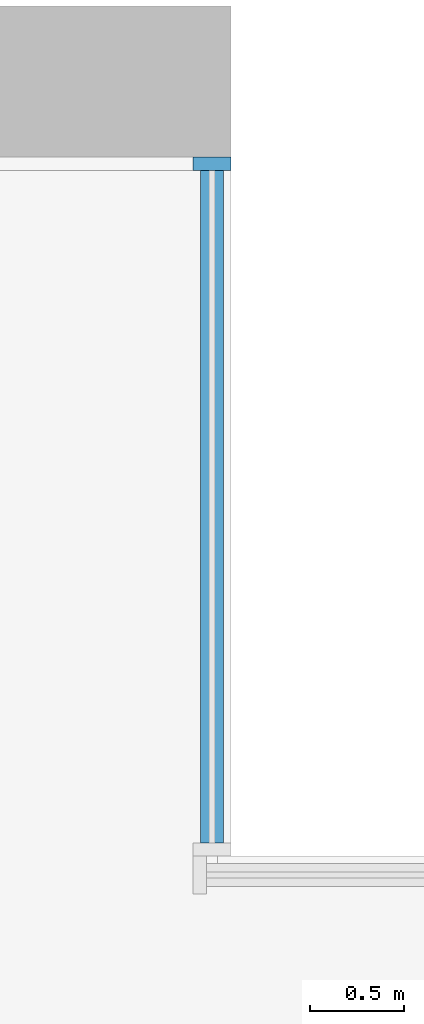
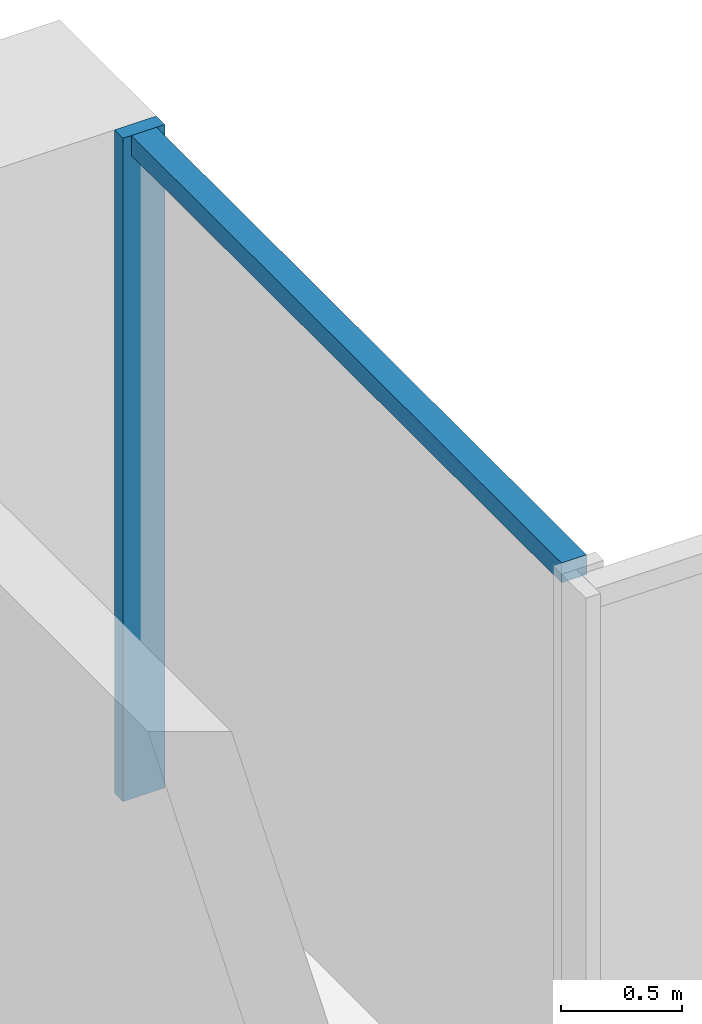
# One storey, part 6 of 15: 2 members, 1 element without a shape of its own.
"""IFC4 building model written with IfcOpenShell, lengths in metres."""

from ifc_helpers import new_model, si_unit, direction, frame, origin, origin_2d, place, context, subcontext, project, spatial, rectangle, extrude, material, material_profile, profile_set, type_object, element, aggregate, save


model = new_model("IFC4")

# Units and contexts
model_context = context("Model", 3, precision=1e-05, world=origin(), true_north=direction((0.0, 1.0)))
body_context = subcontext(model_context, "Body", "Model", "MODEL_VIEW")
ifc_project = project(units=[si_unit("LENGTHUNIT", "METRE"), si_unit("AREAUNIT", "SQUARE_METRE"), si_unit("VOLUMEUNIT", "CUBIC_METRE"), si_unit("PLANEANGLEUNIT", "RADIAN"), si_unit("MASSUNIT", "GRAM", prefix="KILO")], contexts=[model_context])

# Site, building, storey
site_placement = place(None, origin())
site = spatial("IfcSite", under=ifc_project, at=site_placement, CompositionType="ELEMENT")
building_placement = place(site_placement, origin())
building = spatial("IfcBuilding", under=site, at=building_placement, Name="Calvaro Tower", CompositionType="ELEMENT")
storey_placement = place(building_placement, frame((0.0, 0.0, 113.75)))
storey = spatial("IfcBuildingStorey", under=building, at=storey_placement, Name="L28", CompositionType="ELEMENT", Elevation=113.75)

# Curtain wall, members
ifc_material_1 = material(Name="Anodised aluminium", Category="aluminium")
curtain_wall_type = type_object("IfcCurtainWallType", Name="Office curtain wall, middle zone", PredefinedType="NOTDEFINED", material=ifc_material_1)
curtain_wall_placement = place(storey_placement, origin())
curtain_wall = element("IfcCurtainWall", 1, at=curtain_wall_placement, inside=storey, type_object=curtain_wall_type, Name="CW2 corner curtain wall", PredefinedType="NOTDEFINED")
ifc_material_2 = material(Name="Anodised aluminium", Category="aluminium")
ifc_material_profile_1 = material_profile(ifc_material_2, rectangle(XDim=0.199951171875, YDim=0.070068359375, at=origin_2d()), Name="Mullion S2 70 x 200")
ifc_profile_set_1 = profile_set([ifc_material_profile_1], Name="Anodised aluminium")
member_type_1 = type_object("IfcMemberType", Name="Mullion S2 70 x 200", PredefinedType="MULLION", material=ifc_profile_set_1)
member_1_placement = place(storey_placement, frame((66.35009765625, 45.1650390625, 0.0), z_axis=(0.0, 0.0, 1.0), x_axis=(-1.0, 0.0, 0.0)))
member_1 = element("IfcMember", 2, at=member_1_placement, type_object=member_type_1, Name="CW2 mullion 2", PredefinedType="MULLION", context=body_context, shape_type="SweptSolid", body=[
    extrude(rectangle(XDim=0.199951171875, YDim=0.070068359375, at=origin_2d()), origin(), (0.0, 0.0, 1.0), 3.35009765625),
])
ifc_material_3 = material(Name="Anodised aluminium", Category="aluminium")
ifc_material_profile_2 = material_profile(ifc_material_3, rectangle(XDim=0.1201171875, YDim=0.10009765625, at=origin_2d()), Name="Transom S2 100 x 120")
ifc_profile_set_2 = profile_set([ifc_material_profile_2], Name="Anodised aluminium")
member_type_2 = type_object("IfcMemberType", Name="Transom S2 100 x 120", PredefinedType="USERDEFINED", material=ifc_profile_set_2)
member_2_placement = place(storey_placement, frame((66.35009765625, 41.570068359375, 3.300048828125), z_axis=(0.0, 1.0, 0.0), x_axis=(-1.0, 0.0, 0.0)))
member_2 = element("IfcMember", 3, at=member_2_placement, type_object=member_type_2, Name="CW2 transom 1.1", ObjectType="TRANSOM", PredefinedType="USERDEFINED", context=body_context, shape_type="SweptSolid", body=[
    extrude(rectangle(XDim=0.1201171875, YDim=0.10009765625, at=origin_2d()), origin(), (0.0, 0.0, 1.0), 3.559814453125),
])
aggregate(curtain_wall, [member_1, member_2])

save(model, "model.ifc")
